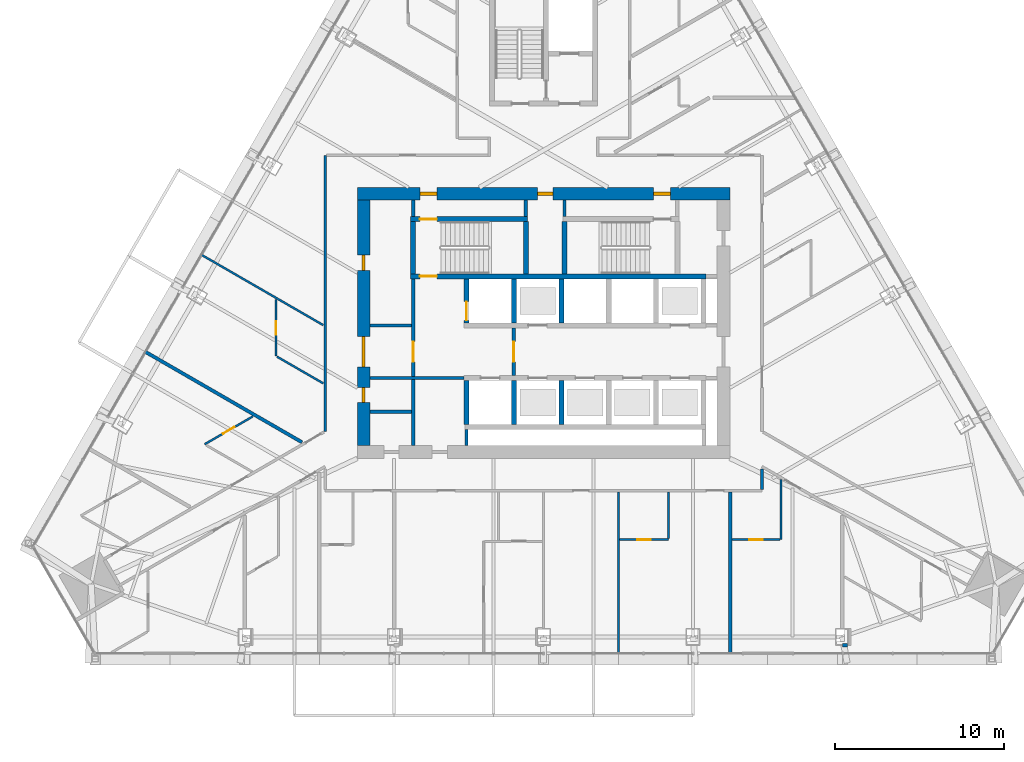
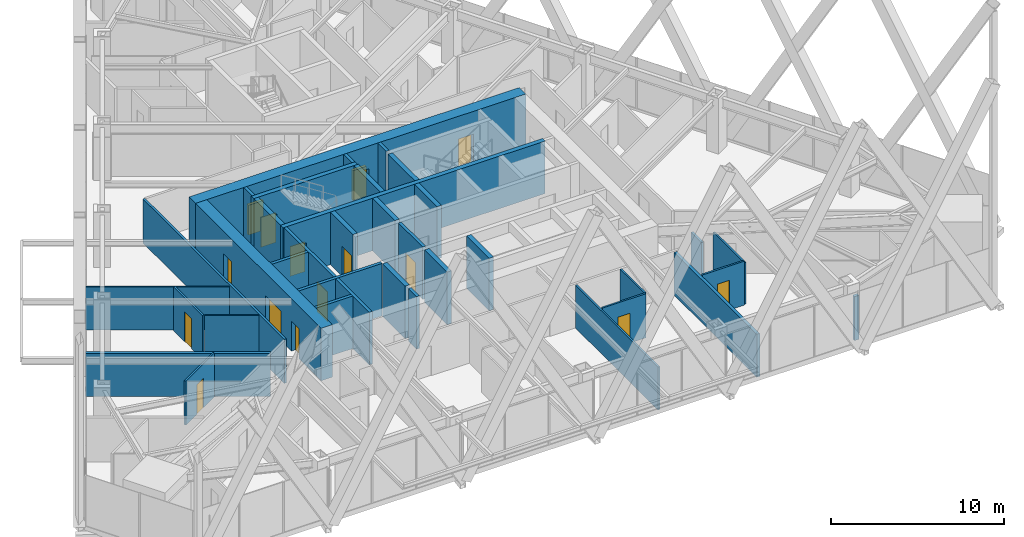
# One storey, part 14 of 19: 37 walls, 15 doors, 15 openings.
"""IFC4 building model written with IfcOpenShell, lengths in metres."""

from ifc_helpers import new_model, si_unit, direction, frame, frame_2d, origin, place, context, subcontext, project, spatial, rectangle, extrude, material, layer, layer_set, type_object, element, fill, save


model = new_model("IFC4")

# Units and contexts
model_context = context("Model", 3, precision=1e-05, world=origin(), true_north=direction((0.0, 1.0)))
body_context = subcontext(model_context, "Body", "Model", "MODEL_VIEW")
ifc_project = project(units=[si_unit("LENGTHUNIT", "METRE"), si_unit("AREAUNIT", "SQUARE_METRE"), si_unit("VOLUMEUNIT", "CUBIC_METRE"), si_unit("PLANEANGLEUNIT", "RADIAN"), si_unit("MASSUNIT", "GRAM", prefix="KILO")], contexts=[model_context])

# Site, building, storey
site_placement = place(None, origin())
site = spatial("IfcSite", under=ifc_project, at=site_placement, CompositionType="ELEMENT")
building_placement = place(site_placement, origin())
building = spatial("IfcBuilding", under=site, at=building_placement, Name="Firuza Gate Tower and Library", CompositionType="ELEMENT")
storey_placement = place(building_placement, frame((0.0, 0.0, 187.0)))
storey = spatial("IfcBuildingStorey", under=building, at=storey_placement, Name="L43", CompositionType="ELEMENT", Elevation=187.0)

# Walls
ifc_material_1 = material(Name="Plasterboard on steel studs", Category="steel")
ifc_layer_1 = layer(ifc_material_1, 0.199951171875)
ifc_layer_set_1 = layer_set([ifc_layer_1], Name="Core partition 200 EI 120")
wall_type_1 = type_object("IfcWallType", Name="Core partition 200 EI 120", PredefinedType="PARTITIONING", material=ifc_layer_set_1)
wall_1_placement = place(storey_placement, frame((64.75, 71.75, 0.0), z_axis=(0.0, 0.0, 1.0), x_axis=(1.0, 0.0, 0.0)))
element("IfcWall", 1, at=wall_1_placement, inside=storey, type_object=wall_type_1, Name="Core partition L43 2", PredefinedType="PARTITIONING", context=body_context, shape_type="SweptSolid", body=[
    extrude(rectangle(XDim=5.550048828125, YDim=0.199951171875, at=frame_2d((2.77490234375, 0.0))), origin(), (0.0, 0.0, 1.0), 3.699951171875),
])
wall_2_placement = place(storey_placement, frame((64.75, 74.85009765625, 0.0), z_axis=(0.0, 0.0, 1.0), x_axis=(1.0, 0.0, 0.0)))
element("IfcWall", 2, at=wall_2_placement, inside=storey, type_object=wall_type_1, Name="Core partition L43 4", PredefinedType="PARTITIONING", context=body_context, shape_type="SweptSolid", body=[
    extrude(rectangle(XDim=2.449951171875, YDim=0.199951171875, at=frame_2d((1.22509765625, 0.0))), origin(), (0.0, 0.0, 1.0), 3.699951171875),
])
wall_3_placement = place(storey_placement, frame((67.300048828125, 67.75, 0.0), z_axis=(0.0, 0.0, 1.0), x_axis=(0.0, 1.0, 0.0)))
element("IfcWall", 3, at=wall_3_placement, inside=storey, type_object=wall_type_1, Name="Core partition L43 7", PredefinedType="PARTITIONING", context=body_context, shape_type="SweptSolid", body=[
    extrude(rectangle(XDim=3.89990234375, YDim=0.199951171875, at=frame_2d((1.949951171875, 0.0))), origin(), (0.0, 0.0, 1.0), 3.699951171875),
])

# Wall, opening, door
wall_4_placement = place(storey_placement, frame((67.300048828125, 71.85009765625, 0.0), z_axis=(0.0, 0.0, 1.0), x_axis=(0.0, 1.0, 0.0)))
wall_4 = element("IfcWall", 4, at=wall_4_placement, inside=storey, type_object=wall_type_1, Name="Core partition L43 8", PredefinedType="PARTITIONING", context=body_context, shape_type="SweptSolid", body=[
    extrude(rectangle(XDim=5.75, YDim=0.199951171875, at=frame_2d((2.875, 0.0))), origin(), (0.0, 0.0, 1.0), 3.699951171875),
])
opening_1_placement = place(wall_4_placement, frame((0.85009765625, 0.0, 0.0)))
opening_1 = element("IfcOpeningElement", 5, at=opening_1_placement, cuts=wall_4, Name="Opening L43-K19", PredefinedType="OPENING", context=body_context, shape_type="SweptSolid", body=[
    extrude(rectangle(XDim=1.199951171875, YDim=2.10009765625, at=frame_2d((0.60009765625, 1.050048828125))), frame((0.0, 0.10986328125, 0.0), z_axis=(0.0, -1.0, 0.0), x_axis=(1.0, 0.0, 0.0)), (0.0, 0.0, 1.0), 0.219970703125),
])
ifc_material_2 = material(Name="Steel", Category="steel")
door_type_1 = type_object("IfcDoorType", Name="Fire door 1200x2100 FD90S", OperationType="NOTDEFINED", PredefinedType="DOOR", material=ifc_material_2)
door_1_placement = place(opening_1_placement, origin())
door_1 = element("IfcDoor", 6, at=door_1_placement, inside=storey, type_object=door_type_1, Name="Door L43-K19", OperationType="SINGLE_SWING_RIGHT", OverallHeight=2.10009765625, OverallWidth=1.199951171875, PredefinedType="DOOR", context=body_context, shape_type="SweptSolid", body=[
    extrude(rectangle(XDim=1.199951171875, YDim=2.10009765625, at=frame_2d((0.60009765625, 1.050048828125))), frame((0.0, 0.02490234375, 0.0), z_axis=(0.0, -1.0, 0.0), x_axis=(1.0, 0.0, 0.0)), (0.0, 0.0, 1.0), 0.050048828125),
])
fill(opening_1, door_1)

# Walls
wall_5_placement = place(storey_placement, frame((67.300048828125, 81.280029296875, 0.0), z_axis=(0.0, 0.0, 1.0), x_axis=(0.0, 1.0, 0.0)))
element("IfcWall", 7, at=wall_5_placement, inside=storey, type_object=wall_type_1, Name="Core partition L43 9", PredefinedType="PARTITIONING", context=body_context, shape_type="SweptSolid", body=[
    extrude(rectangle(XDim=0.969970703125, YDim=0.199951171875, at=frame_2d((0.48486328125, 0.0))), origin(), (0.0, 0.0, 1.0), 3.699951171875),
])
wall_6_placement = place(storey_placement, frame((70.449951171875, 67.75, 0.0), z_axis=(0.0, 0.0, 1.0), x_axis=(0.0, 1.0, 0.0)))
element("IfcWall", 8, at=wall_6_placement, inside=storey, type_object=wall_type_1, Name="Core partition L43 10", PredefinedType="PARTITIONING", context=body_context, shape_type="SweptSolid", body=[
    extrude(rectangle(XDim=0.949951171875, YDim=0.199951171875, at=frame_2d((0.47509765625, 0.0))), origin(), (0.0, 0.0, 1.0), 3.699951171875),
])
ifc_material_3 = material(Name="Plasterboard on steel studs", Category="steel")
ifc_layer_2 = layer(ifc_material_3, 0.199951171875)
ifc_layer_set_2 = layer_set([ifc_layer_2], Name="Core partition 200 EI 60")
wall_type_2 = type_object("IfcWallType", Name="Core partition 200 EI 60", PredefinedType="PARTITIONING", material=ifc_layer_set_2)
wall_7_placement = place(storey_placement, frame((64.75, 69.75, 0.0), z_axis=(0.0, 0.0, 1.0), x_axis=(1.0, 0.0, 0.0)))
element("IfcWall", 9, at=wall_7_placement, inside=storey, type_object=wall_type_2, Name="Core partition L43 1", PredefinedType="PARTITIONING", context=body_context, shape_type="SweptSolid", body=[
    extrude(rectangle(XDim=2.449951171875, YDim=0.199951171875, at=frame_2d((1.22509765625, 0.0))), origin(), (0.0, 0.0, 1.0), 3.699951171875),
])

# Wall, opening, door
wall_8_placement = place(storey_placement, frame((73.25, 71.89990234375, 0.0), z_axis=(0.0, 0.0, 1.0), x_axis=(0.0, 1.0, 0.0)))
wall_8 = element("IfcWall", 10, at=wall_8_placement, inside=storey, type_object=wall_type_2, Name="Core partition L43 11", PredefinedType="PARTITIONING", context=body_context, shape_type="SweptSolid", body=[
    extrude(rectangle(XDim=2.800048828125, YDim=0.199951171875, at=frame_2d((1.39990234375, 0.0))), origin(), (0.0, 0.0, 1.0), 3.699951171875),
])
opening_2_placement = place(wall_8_placement, frame((0.800048828125, 0.0, 0.0)))
opening_2 = element("IfcOpeningElement", 11, at=opening_2_placement, cuts=wall_8, Name="Opening L43-K18", PredefinedType="OPENING", context=body_context, shape_type="SweptSolid", body=[
    extrude(rectangle(XDim=1.199951171875, YDim=2.10009765625, at=frame_2d((0.60009765625, 1.050048828125))), frame((0.0, 0.10986328125, 0.0), z_axis=(0.0, -1.0, 0.0), x_axis=(1.0, 0.0, 0.0)), (0.0, 0.0, 1.0), 0.219970703125),
])
door_2_placement = place(opening_2_placement, origin())
door_2 = element("IfcDoor", 12, at=door_2_placement, inside=storey, type_object=door_type_1, Name="Door L43-K18", OperationType="SINGLE_SWING_LEFT", OverallHeight=2.10009765625, OverallWidth=1.199951171875, PredefinedType="DOOR", context=body_context, shape_type="SweptSolid", body=[
    extrude(rectangle(XDim=1.199951171875, YDim=2.10009765625, at=frame_2d((0.60009765625, 1.050048828125))), frame((0.0, 0.02490234375, 0.0), z_axis=(0.0, -1.0, 0.0), x_axis=(1.0, 0.0, 0.0)), (0.0, 0.0, 1.0), 0.050048828125),
])
fill(opening_2, door_2)

# Walls
for number, where, z_axis, x_axis, name in (
    (13, (73.9599609375, 81.280029296875, 0.0), (0.0, 0.0, 1.0), (0.0, 1.0, 0.0), "Core partition L43 12"),
    (14, (76.239990234375, 81.280029296875, 0.0), (0.0, 0.0, 1.0), (0.0, 1.0, 0.0), "Core partition L43 13"),
):
    element("IfcWall", number, at=place(storey_placement, frame(where, z_axis=z_axis, x_axis=x_axis)), inside=storey, type_object=wall_type_2, Name=name, PredefinedType="PARTITIONING", context=body_context, shape_type="SweptSolid", body=[
        extrude(rectangle(XDim=0.969970703125, YDim=0.199951171875, at=frame_2d((0.48486328125, 0.0))), origin(), (0.0, 0.0, 1.0), 3.699951171875),
    ])
ifc_material_4 = material(Name="Concrete C80/95", Category="concrete")
ifc_layer_3 = layer(ifc_material_4, 0.300048828125)
ifc_layer_set_3 = layer_set([ifc_layer_3], Name="Core wall 300 C80/95")
wall_type_3 = type_object("IfcWallType", Name="Core wall 300 C80/95", PredefinedType="SHEAR", material=ifc_layer_set_3)
wall_9_placement = place(storey_placement, frame((70.449951171875, 69.0, 0.0), z_axis=(0.0, 0.0, 1.0), x_axis=(0.0, 1.0, 0.0)))
element("IfcWall", 15, at=wall_9_placement, inside=storey, type_object=wall_type_3, Name="Core wall L43 8", PredefinedType="SHEAR", context=body_context, shape_type="SweptSolid", body=[
    extrude(rectangle(XDim=2.60009765625, YDim=0.300048828125, at=frame_2d((1.300048828125, 0.0))), origin(), (0.0, 0.0, 1.0), 3.699951171875),
])

# Wall, opening, door
wall_10_placement = place(storey_placement, frame((70.449951171875, 75.0, 0.0), z_axis=(0.0, 0.0, 1.0), x_axis=(0.0, 1.0, 0.0)))
wall_10 = element("IfcWall", 16, at=wall_10_placement, inside=storey, type_object=wall_type_3, Name="Core wall L43 9", PredefinedType="SHEAR", context=body_context, shape_type="SweptSolid", body=[
    extrude(rectangle(XDim=2.60009765625, YDim=0.300048828125, at=frame_2d((1.300048828125, 0.0))), origin(), (0.0, 0.0, 1.0), 3.699951171875),
])
opening_3_placement = place(wall_10_placement, frame((0.14990234375, 0.0, 0.0)))
opening_3 = element("IfcOpeningElement", 17, at=opening_3_placement, cuts=wall_10, Name="Opening LD-FF2-L43", PredefinedType="OPENING", context=body_context, shape_type="SweptSolid", body=[
    extrude(rectangle(XDim=1.10009765625, YDim=2.10009765625, at=frame_2d((0.550048828125, 1.050048828125))), frame((0.0, 0.16015625, 0.0), z_axis=(0.0, -1.0, 0.0), x_axis=(1.0, 0.0, 0.0)), (0.0, 0.0, 1.0), 0.320068359375),
])
ifc_material_5 = material(Name="Stainless steel", Category="steel")
door_type_2 = type_object("IfcDoorType", Name="Lift landing door 1100x2100", OperationType="DOUBLE_DOOR_SLIDING", PredefinedType="DOOR", material=ifc_material_5)
door_3_placement = place(opening_3_placement, origin())
door_3 = element("IfcDoor", 18, at=door_3_placement, inside=storey, type_object=door_type_2, Name="Landing door FF2 L43", OperationType="DOUBLE_DOOR_SLIDING", OverallHeight=2.10009765625, OverallWidth=1.10009765625, PredefinedType="DOOR", context=body_context, shape_type="SweptSolid", body=[
    extrude(rectangle(XDim=1.10009765625, YDim=2.10009765625, at=frame_2d((0.550048828125, 1.050048828125))), frame((0.0, 0.02490234375, 0.0), z_axis=(0.0, -1.0, 0.0), x_axis=(1.0, 0.0, 0.0)), (0.0, 0.0, 1.0), 0.050048828125),
])
fill(opening_3, door_3)

# Walls
for number, where, z_axis, x_axis, name in (
    (19, (73.25, 69.0, 0.0), (0.0, 0.0, 1.0), (0.0, 1.0, 0.0), "Core wall L43 10"),
    (20, (73.25, 75.0, 0.0), (0.0, 0.0, 1.0), (0.0, 1.0, 0.0), "Core wall L43 11"),
    (21, (76.050048828125, 69.0, 0.0), (0.0, 0.0, 1.0), (0.0, 1.0, 0.0), "Core wall L43 12"),
    (22, (76.050048828125, 75.0, 0.0), (0.0, 0.0, 1.0), (0.0, 1.0, 0.0), "Core wall L43 13"),
):
    element("IfcWall", number, at=place(storey_placement, frame(where, z_axis=z_axis, x_axis=x_axis)), inside=storey, type_object=wall_type_3, Name=name, PredefinedType="SHEAR", context=body_context, shape_type="SweptSolid", body=[
        extrude(rectangle(XDim=2.60009765625, YDim=0.300048828125, at=frame_2d((1.300048828125, 0.0))), origin(), (0.0, 0.0, 1.0), 3.699951171875),
    ])

# Wall, opening, door
wall_11_placement = place(storey_placement, frame((67.14990234375, 77.75, 0.0), z_axis=(0.0, 0.0, 1.0), x_axis=(1.0, 0.0, 0.0)))
wall_11 = element("IfcWall", 23, at=wall_11_placement, inside=storey, type_object=wall_type_3, Name="Core wall L43 20", PredefinedType="SHEAR", context=body_context, shape_type="SweptSolid", body=[
    extrude(rectangle(XDim=17.4501953125, YDim=0.300048828125, at=frame_2d((8.72509765625, 0.0))), origin(), (0.0, 0.0, 1.0), 3.699951171875),
])
opening_4_placement = place(wall_11_placement, frame((0.544921875, 0.0, 0.0)))
opening_4 = element("IfcOpeningElement", 24, at=opening_4_placement, cuts=wall_11, Name="Opening L43-K10", PredefinedType="OPENING", context=body_context, shape_type="SweptSolid", body=[
    extrude(rectangle(XDim=1.0, YDim=2.10009765625, at=frame_2d((0.5, 1.050048828125))), frame((0.0, 0.16015625, 0.0), z_axis=(0.0, -1.0, 0.0), x_axis=(1.0, 0.0, 0.0)), (0.0, 0.0, 1.0), 0.320068359375),
])
ifc_material_6 = material(Name="Steel", Category="steel")
door_type_3 = type_object("IfcDoorType", Name="Fire door 1000x2100 FD90", OperationType="NOTDEFINED", PredefinedType="DOOR", material=ifc_material_6)
door_4_placement = place(opening_4_placement, origin())
door_4 = element("IfcDoor", 25, at=door_4_placement, inside=storey, type_object=door_type_3, Name="Door L43-K10", OperationType="SINGLE_SWING_LEFT", OverallHeight=2.10009765625, OverallWidth=1.0, PredefinedType="DOOR", context=body_context, shape_type="SweptSolid", body=[
    extrude(rectangle(XDim=1.0, YDim=2.10009765625, at=frame_2d((0.5, 1.050048828125))), frame((0.0, 0.02490234375, 0.0), z_axis=(0.0, -1.0, 0.0), x_axis=(1.0, 0.0, 0.0)), (0.0, 0.0, 1.0), 0.050048828125),
])
fill(opening_4, door_4)

wall_12_placement = place(storey_placement, frame((67.14990234375, 81.1298828125, 0.0), z_axis=(0.0, 0.0, 1.0), x_axis=(1.0, 0.0, 0.0)))
wall_12 = element("IfcWall", 26, at=wall_12_placement, inside=storey, type_object=wall_type_3, Name="Core wall L43 21", PredefinedType="SHEAR", context=body_context, shape_type="SweptSolid", body=[
    extrude(rectangle(XDim=6.91015625, YDim=0.300048828125, at=frame_2d((3.455078125, 0.0))), origin(), (0.0, 0.0, 1.0), 3.699951171875),
])
opening_5_placement = place(wall_12_placement, frame((0.544921875, 0.0, 0.0)))
opening_5 = element("IfcOpeningElement", 27, at=opening_5_placement, cuts=wall_12, Name="Opening L43-K11", PredefinedType="OPENING", context=body_context, shape_type="SweptSolid", body=[
    extrude(rectangle(XDim=1.0, YDim=2.10009765625, at=frame_2d((0.5, 1.050048828125))), frame((0.0, 0.16015625, 0.0), z_axis=(0.0, -1.0, 0.0), x_axis=(1.0, 0.0, 0.0)), (0.0, 0.0, 1.0), 0.320068359375),
])
door_5_placement = place(opening_5_placement, origin())
door_5 = element("IfcDoor", 28, at=door_5_placement, inside=storey, type_object=door_type_3, Name="Door L43-K11", OperationType="SINGLE_SWING_RIGHT", OverallHeight=2.10009765625, OverallWidth=1.0, PredefinedType="DOOR", context=body_context, shape_type="SweptSolid", body=[
    extrude(rectangle(XDim=1.0, YDim=2.10009765625, at=frame_2d((0.5, 1.050048828125))), frame((0.0, 0.02490234375, 0.0), z_axis=(0.0, -1.0, 0.0), x_axis=(1.0, 0.0, 0.0)), (0.0, 0.0, 1.0), 0.050048828125),
])
fill(opening_5, door_5)

# Walls
for number, where, z_axis, x_axis, name in (
    (29, (67.300048828125, 77.89990234375, 0.0), (0.0, 0.0, 1.0), (0.0, 1.0, 0.0), "Core wall L43 23"),
    (30, (73.9599609375, 77.89990234375, 0.0), (0.0, 0.0, 1.0), (0.0, 1.0, 0.0), "Core wall L43 24"),
    (31, (76.239990234375, 77.89990234375, 0.0), (0.0, 0.0, 1.0), (0.0, 1.0, 0.0), "Core wall L43 25"),
):
    element("IfcWall", number, at=place(storey_placement, frame(where, z_axis=z_axis, x_axis=x_axis)), inside=storey, type_object=wall_type_3, Name=name, PredefinedType="SHEAR", context=body_context, shape_type="SweptSolid", body=[
        extrude(rectangle(XDim=3.080078125, YDim=0.300048828125, at=frame_2d((1.5400390625, 0.0))), origin(), (0.0, 0.0, 1.0), 3.699951171875),
    ])

# Wall, openings, doors
ifc_material_7 = material(Name="Concrete C80/95", Category="concrete")
ifc_layer_4 = layer(ifc_material_7, 0.75)
ifc_layer_set_4 = layer_set([ifc_layer_4], Name="Core wall 750 C80/95")
wall_type_4 = type_object("IfcWallType", Name="Core wall 750 C80/95", PredefinedType="SHEAR", material=ifc_layer_set_4)
wall_13_placement = place(storey_placement, frame((64.0, 82.625, 0.0), z_axis=(0.0, 0.0, 1.0), x_axis=(1.0, 0.0, 0.0)))
wall_13 = element("IfcWall", 32, at=wall_13_placement, inside=storey, type_object=wall_type_4, Name="Core wall L43 2", PredefinedType="SHEAR", context=body_context, shape_type="SweptSolid", body=[
    extrude(rectangle(XDim=22.0, YDim=0.75, at=frame_2d((11.0, 0.0))), origin(), (0.0, 0.0, 1.0), 3.699951171875),
])
opening_6_placement = place(wall_13_placement, frame((3.695068359375, 0.0, 0.0)))
opening_6 = element("IfcOpeningElement", 33, at=opening_6_placement, cuts=wall_13, Name="Opening L43-K12", PredefinedType="OPENING", context=body_context, shape_type="SweptSolid", body=[
    extrude(rectangle(XDim=1.0, YDim=2.10009765625, at=frame_2d((0.5, 1.050048828125))), frame((0.0, 0.385009765625, 0.0), z_axis=(0.0, -1.0, 0.0), x_axis=(1.0, 0.0, 0.0)), (0.0, 0.0, 1.0), 0.77001953125),
])
opening_7_placement = place(wall_13_placement, frame((17.5048828125, 0.0, 0.0)))
opening_7 = element("IfcOpeningElement", 34, at=opening_7_placement, cuts=wall_13, Name="Opening L43-K14", PredefinedType="OPENING", context=body_context, shape_type="SweptSolid", body=[
    extrude(rectangle(XDim=1.0, YDim=2.10009765625, at=frame_2d((0.5, 1.050048828125))), frame((0.0, 0.385009765625, 0.0), z_axis=(0.0, -1.0, 0.0), x_axis=(1.0, 0.0, 0.0)), (0.0, 0.0, 1.0), 0.77001953125),
])
opening_8_placement = place(wall_13_placement, frame((10.64990234375, 0.0, 0.0)))
opening_8 = element("IfcOpeningElement", 35, at=opening_8_placement, cuts=wall_13, Name="Opening L43-K26", PredefinedType="OPENING", context=body_context, shape_type="SweptSolid", body=[
    extrude(rectangle(XDim=0.89990234375, YDim=2.10009765625, at=frame_2d((0.449951171875, 1.050048828125))), frame((0.0, 0.385009765625, 0.0), z_axis=(0.0, -1.0, 0.0), x_axis=(1.0, 0.0, 0.0)), (0.0, 0.0, 1.0), 0.77001953125),
])
door_6_placement = place(opening_6_placement, origin())
door_6 = element("IfcDoor", 36, at=door_6_placement, inside=storey, type_object=door_type_3, Name="Door L43-K12", OperationType="SINGLE_SWING_LEFT", OverallHeight=2.10009765625, OverallWidth=1.0, PredefinedType="DOOR", context=body_context, shape_type="SweptSolid", body=[
    extrude(rectangle(XDim=1.0, YDim=2.10009765625, at=frame_2d((0.5, 1.050048828125))), frame((0.0, 0.094970703125, 0.0), z_axis=(0.0, -1.0, 0.0), x_axis=(1.0, 0.0, 0.0)), (0.0, 0.0, 1.0), 0.18994140625),
])
fill(opening_6, door_6)
door_7_placement = place(opening_7_placement, origin())
door_7 = element("IfcDoor", 37, at=door_7_placement, inside=storey, type_object=door_type_3, Name="Door L43-K14", OperationType="SINGLE_SWING_LEFT", OverallHeight=2.10009765625, OverallWidth=1.0, PredefinedType="DOOR", context=body_context, shape_type="SweptSolid", body=[
    extrude(rectangle(XDim=1.0, YDim=2.10009765625, at=frame_2d((0.5, 1.050048828125))), frame((0.0, 0.094970703125, 0.0), z_axis=(0.0, -1.0, 0.0), x_axis=(1.0, 0.0, 0.0)), (0.0, 0.0, 1.0), 0.18994140625),
])
fill(opening_7, door_7)
ifc_material_8 = material(Name="Steel", Category="steel")
door_type_4 = type_object("IfcDoorType", Name="Fire door 900x2100 FD30S", OperationType="NOTDEFINED", PredefinedType="DOOR", material=ifc_material_8)
door_8_placement = place(opening_8_placement, origin())
door_8 = element("IfcDoor", 38, at=door_8_placement, inside=storey, type_object=door_type_4, Name="Door L43-K26", OperationType="SINGLE_SWING_LEFT", OverallHeight=2.10009765625, OverallWidth=0.89990234375, PredefinedType="DOOR", context=body_context, shape_type="SweptSolid", body=[
    extrude(rectangle(XDim=0.89990234375, YDim=2.10009765625, at=frame_2d((0.449951171875, 1.050048828125))), frame((0.0, 0.094970703125, 0.0), z_axis=(0.0, -1.0, 0.0), x_axis=(1.0, 0.0, 0.0)), (0.0, 0.0, 1.0), 0.18994140625),
])
fill(opening_8, door_8)

wall_14_placement = place(storey_placement, frame((64.375, 67.75, 0.0), z_axis=(0.0, 0.0, 1.0), x_axis=(0.0, 1.0, 0.0)))
wall_14 = element("IfcWall", 39, at=wall_14_placement, inside=storey, type_object=wall_type_4, Name="Core wall L43 3", PredefinedType="SHEAR", context=body_context, shape_type="SweptSolid", body=[
    extrude(rectangle(XDim=14.5, YDim=0.75, at=frame_2d((7.25, 0.0))), origin(), (0.0, 0.0, 1.0), 3.699951171875),
])
opening_9_placement = place(wall_14_placement, frame((4.64990234375, 0.0, 0.0)))
opening_9 = element("IfcOpeningElement", 40, at=opening_9_placement, cuts=wall_14, Name="Opening L43-K20", PredefinedType="OPENING", context=body_context, shape_type="SweptSolid", body=[
    extrude(rectangle(XDim=1.800048828125, YDim=2.10009765625, at=frame_2d((0.89990234375, 1.050048828125))), frame((0.0, 0.385009765625, 0.0), z_axis=(0.0, -1.0, 0.0), x_axis=(1.0, 0.0, 0.0)), (0.0, 0.0, 1.0), 0.77001953125),
])
opening_10_placement = place(wall_14_placement, frame((2.550048828125, 0.0, 0.0)))
opening_10 = element("IfcOpeningElement", 41, at=opening_10_placement, cuts=wall_14, Name="Opening L43-K23", PredefinedType="OPENING", context=body_context, shape_type="SweptSolid", body=[
    extrude(rectangle(XDim=0.89990234375, YDim=2.10009765625, at=frame_2d((0.449951171875, 1.050048828125))), frame((0.0, 0.385009765625, 0.0), z_axis=(0.0, -1.0, 0.0), x_axis=(1.0, 0.0, 0.0)), (0.0, 0.0, 1.0), 0.77001953125),
])
opening_11_placement = place(wall_14_placement, frame((10.35009765625, 0.0, 0.0)))
opening_11 = element("IfcOpeningElement", 42, at=opening_11_placement, cuts=wall_14, Name="Opening L43-K25", PredefinedType="OPENING", context=body_context, shape_type="SweptSolid", body=[
    extrude(rectangle(XDim=0.89990234375, YDim=2.10009765625, at=frame_2d((0.449951171875, 1.050048828125))), frame((0.0, 0.385009765625, 0.0), z_axis=(0.0, -1.0, 0.0), x_axis=(1.0, 0.0, 0.0)), (0.0, 0.0, 1.0), 0.77001953125),
])
ifc_material_9 = material(Name="Steel", Category="steel")
door_type_5 = type_object("IfcDoorType", Name="Fire door 1800x2100 FD30S", OperationType="NOTDEFINED", PredefinedType="DOOR", material=ifc_material_9)
door_9_placement = place(opening_9_placement, origin())
door_9 = element("IfcDoor", 43, at=door_9_placement, inside=storey, type_object=door_type_5, Name="Door L43-K20", OperationType="SINGLE_SWING_LEFT", OverallHeight=2.10009765625, OverallWidth=1.800048828125, PredefinedType="DOOR", context=body_context, shape_type="SweptSolid", body=[
    extrude(rectangle(XDim=1.800048828125, YDim=2.10009765625, at=frame_2d((0.89990234375, 1.050048828125))), frame((0.0, 0.094970703125, 0.0), z_axis=(0.0, -1.0, 0.0), x_axis=(1.0, 0.0, 0.0)), (0.0, 0.0, 1.0), 0.18994140625),
])
fill(opening_9, door_9)
door_10_placement = place(opening_10_placement, origin())
door_10 = element("IfcDoor", 44, at=door_10_placement, inside=storey, type_object=door_type_4, Name="Door L43-K23", OperationType="SINGLE_SWING_RIGHT", OverallHeight=2.10009765625, OverallWidth=0.89990234375, PredefinedType="DOOR", context=body_context, shape_type="SweptSolid", body=[
    extrude(rectangle(XDim=0.89990234375, YDim=2.10009765625, at=frame_2d((0.449951171875, 1.050048828125))), frame((0.0, 0.094970703125, 0.0), z_axis=(0.0, -1.0, 0.0), x_axis=(1.0, 0.0, 0.0)), (0.0, 0.0, 1.0), 0.18994140625),
])
fill(opening_10, door_10)
door_11_placement = place(opening_11_placement, origin())
door_11 = element("IfcDoor", 45, at=door_11_placement, inside=storey, type_object=door_type_4, Name="Door L43-K25", OperationType="SINGLE_SWING_RIGHT", OverallHeight=2.10009765625, OverallWidth=0.89990234375, PredefinedType="DOOR", context=body_context, shape_type="SweptSolid", body=[
    extrude(rectangle(XDim=0.89990234375, YDim=2.10009765625, at=frame_2d((0.449951171875, 1.050048828125))), frame((0.0, 0.094970703125, 0.0), z_axis=(0.0, -1.0, 0.0), x_axis=(1.0, 0.0, 0.0)), (0.0, 0.0, 1.0), 0.18994140625),
])
fill(opening_11, door_11)

# Walls
ifc_material_10 = material(Name="Gypsum board partition")
ifc_layer_5 = layer(ifc_material_10, 0.14990234375)
ifc_layer_set_5 = layer_set([ifc_layer_5], Name="Corridor wall 150 double board on steel studs")
wall_type_5 = type_object("IfcWallType", Name="Corridor wall 150 double board on steel studs", PredefinedType="PARTITIONING", material=ifc_layer_set_5)
wall_15_placement = place(storey_placement, frame((87.89990234375, 65.175048828125, 0.0), z_axis=(0.0, 0.0, 1.0), x_axis=(0.0, 1.0, 0.0)))
element("IfcWall", 46, at=wall_15_placement, inside=storey, type_object=wall_type_5, Name="f:L43:w048", PredefinedType="PARTITIONING", context=body_context, shape_type="SweptSolid", body=[
    extrude(rectangle(XDim=1.201416015625, YDim=0.14990234375, at=frame_2d((0.6005859375, 0.0))), origin(), (0.0, 0.0, 1.0), 2.947021484375),
])
wall_16_placement = place(storey_placement, frame((62.10009765625, 68.59130859375, 0.0), z_axis=(0.0, 0.0, 1.0), x_axis=(0.0, 1.0, 0.0)))
element("IfcWall", 47, at=wall_16_placement, inside=storey, type_object=wall_type_5, Name="f:L43:w074", PredefinedType="PARTITIONING", context=body_context, shape_type="SweptSolid", body=[
    extrude(rectangle(XDim=16.30810546875, YDim=0.14990234375, at=frame_2d((8.154052734375, 0.0))), origin(), (0.0, 0.0, 1.0), 3.10009765625),
])
ifc_material_11 = material(Name="Gypsum board partition")
ifc_layer_6 = layer(ifc_material_11, 0.199951171875)
ifc_layer_set_6 = layer_set([ifc_layer_6], Name="Demising wall 200 acoustic double stud")
wall_type_6 = type_object("IfcWallType", Name="Demising wall 200 acoustic double stud", PredefinedType="PARTITIONING", material=ifc_layer_set_6)
wall_17_placement = place(storey_placement, frame((92.647705078125, 55.9599609375, 0.0), z_axis=(0.0, 0.0, 1.0), x_axis=(1.0, 0.0, 0.0)))
element("IfcWall", 48, at=wall_17_placement, inside=storey, type_object=wall_type_6, Name="f:L43:w003", PredefinedType="PARTITIONING", context=body_context, shape_type="SweptSolid", body=[
    extrude(rectangle(XDim=0.299560546875, YDim=0.199951171875, at=frame_2d((0.14990234375, 0.0))), origin(), (0.0, 0.0, 1.0), 3.10009765625),
])
wall_18_placement = place(storey_placement, frame((86.030029296875, 55.499755859375, 0.0), z_axis=(0.0, 0.0, 1.0), x_axis=(0.0, 1.0, 0.0)))
element("IfcWall", 49, at=wall_18_placement, inside=storey, type_object=wall_type_6, Name="f:L43:w050", PredefinedType="PARTITIONING", context=body_context, shape_type="SweptSolid", body=[
    extrude(rectangle(XDim=9.525146484375, YDim=0.199951171875, at=frame_2d((4.7626953125, 0.0))), origin(), (0.0, 0.0, 1.0), 3.02197265625),
])
wall_19_placement = place(storey_placement, frame((60.7373046875, 67.951171875, 0.0), z_axis=(0.0, 0.0, 1.0), x_axis=(-0.866024451315, 0.500001649722, 0.0)))
element("IfcWall", 50, at=wall_19_placement, inside=storey, type_object=wall_type_6, Name="f:L43:w096", PredefinedType="PARTITIONING", context=body_context, shape_type="SweptSolid", body=[
    extrude(rectangle(XDim=10.6728515625, YDim=0.199951171875, at=frame_2d((5.33642578125, 0.0))), origin(), (0.0, 0.0, 1.0), 3.02197265625),
])

# Wall, opening, door
ifc_material_12 = material(Name="Gypsum board partition")
ifc_layer_7 = layer(ifc_material_12, 0.1201171875)
ifc_layer_set_7 = layer_set([ifc_layer_7], Name="Wet-area partition 120 moisture-resistant board")
wall_type_7 = type_object("IfcWallType", Name="Wet-area partition 120 moisture-resistant board", PredefinedType="PARTITIONING", material=ifc_layer_set_7)
wall_20_placement = place(storey_placement, frame((79.48193359375, 62.199951171875, 0.0), z_axis=(0.0, 0.0, 1.0), x_axis=(1.0, 0.0, 0.0)))
wall_20 = element("IfcWall", 51, at=wall_20_placement, inside=storey, type_object=wall_type_7, Name="f:L43:w007", PredefinedType="PARTITIONING", context=body_context, shape_type="SweptSolid", body=[
    extrude(rectangle(XDim=2.907958984375, YDim=0.1201171875, at=frame_2d((1.4541015625, 0.0))), origin(), (0.0, 0.0, 1.0), 3.10009765625),
])
opening_12_placement = place(wall_20_placement, frame((1.053955078125, 0.0, 0.0)))
opening_12 = element("IfcOpeningElement", 52, at=opening_12_placement, cuts=wall_20, Name="Opening L43-03", PredefinedType="OPENING", context=body_context, shape_type="SweptSolid", body=[
    extrude(rectangle(XDim=0.800048828125, YDim=2.10009765625, at=frame_2d((0.39990234375, 1.050048828125))), frame((0.0, 0.070068359375, 0.0), z_axis=(0.0, -1.0, 0.0), x_axis=(1.0, 0.0, 0.0)), (0.0, 0.0, 1.0), 0.14013671875),
])
ifc_material_13 = material(Name="Timber door", Category="wood")
door_type_6 = type_object("IfcDoorType", Name="Door 800 x 2100 timber leaf", OperationType="NOTDEFINED", PredefinedType="DOOR", material=ifc_material_13)
door_12_placement = place(opening_12_placement, origin())
door_12 = element("IfcDoor", 53, at=door_12_placement, inside=storey, type_object=door_type_6, Name="f:L43:d003", OperationType="SINGLE_SWING_RIGHT", OverallHeight=2.10009765625, OverallWidth=0.800048828125, PredefinedType="DOOR", context=body_context, shape_type="SweptSolid", body=[
    extrude(rectangle(XDim=0.800048828125, YDim=2.10009765625, at=frame_2d((0.39990234375, 1.050048828125))), frame((0.0, 0.02490234375, 0.0), z_axis=(0.0, -1.0, 0.0), x_axis=(1.0, 0.0, 0.0)), (0.0, 0.0, 1.0), 0.050048828125),
])
fill(opening_12, door_12)

wall_21_placement = place(storey_placement, frame((86.139892578125, 62.199951171875, 0.0), z_axis=(0.0, 0.0, 1.0), x_axis=(1.0, 0.0, 0.0)))
wall_21 = element("IfcWall", 54, at=wall_21_placement, inside=storey, type_object=wall_type_7, Name="f:L43:w008", PredefinedType="PARTITIONING", context=body_context, shape_type="SweptSolid", body=[
    extrude(rectangle(XDim=2.807861328125, YDim=0.1201171875, at=frame_2d((1.40380859375, 0.0))), origin(), (0.0, 0.0, 1.0), 3.10009765625),
])
opening_13_placement = place(wall_21_placement, frame((1.00390625, 0.0, 0.0)))
opening_13 = element("IfcOpeningElement", 55, at=opening_13_placement, cuts=wall_21, Name="Opening L43-04", PredefinedType="OPENING", context=body_context, shape_type="SweptSolid", body=[
    extrude(rectangle(XDim=0.800048828125, YDim=2.10009765625, at=frame_2d((0.39990234375, 1.050048828125))), frame((0.0, 0.070068359375, 0.0), z_axis=(0.0, -1.0, 0.0), x_axis=(1.0, 0.0, 0.0)), (0.0, 0.0, 1.0), 0.14013671875),
])
door_13_placement = place(opening_13_placement, origin())
door_13 = element("IfcDoor", 56, at=door_13_placement, inside=storey, type_object=door_type_6, Name="f:L43:d004", OperationType="SINGLE_SWING_RIGHT", OverallHeight=2.10009765625, OverallWidth=0.800048828125, PredefinedType="DOOR", context=body_context, shape_type="SweptSolid", body=[
    extrude(rectangle(XDim=0.800048828125, YDim=2.10009765625, at=frame_2d((0.39990234375, 1.050048828125))), frame((0.0, 0.02490234375, 0.0), z_axis=(0.0, -1.0, 0.0), x_axis=(1.0, 0.0, 0.0)), (0.0, 0.0, 1.0), 0.050048828125),
])
fill(opening_13, door_13)

wall_22_placement = place(storey_placement, frame((57.82958984375, 69.474609375, 0.0), z_axis=(0.0, 0.0, 1.0), x_axis=(-0.866038236991, -0.499977771575, 0.0)))
wall_22 = element("IfcWall", 57, at=wall_22_placement, inside=storey, type_object=wall_type_7, Name="f:L43:w031", PredefinedType="PARTITIONING", context=body_context, shape_type="SweptSolid", body=[
    extrude(rectangle(XDim=3.283447265625, YDim=0.1201171875, at=frame_2d((1.6416015625, 0.0))), origin(), (0.0, 0.0, 1.0), 3.10009765625),
])
opening_14_placement = place(wall_22_placement, frame((1.24169921875, 0.0, 0.0)))
opening_14 = element("IfcOpeningElement", 58, at=opening_14_placement, cuts=wall_22, Name="Opening L43-21", PredefinedType="OPENING", context=body_context, shape_type="SweptSolid", body=[
    extrude(rectangle(XDim=0.800048828125, YDim=2.10009765625, at=frame_2d((0.39990234375, 1.050048828125))), frame((0.0, 0.070068359375, 0.0), z_axis=(0.0, -1.0, 0.0), x_axis=(1.0, 0.0, 0.0)), (0.0, 0.0, 1.0), 0.14013671875),
])
door_14_placement = place(opening_14_placement, origin())
door_14 = element("IfcDoor", 59, at=door_14_placement, inside=storey, type_object=door_type_6, Name="f:L43:d021", OperationType="SINGLE_SWING_LEFT", OverallHeight=2.10009765625, OverallWidth=0.800048828125, PredefinedType="DOOR", context=body_context, shape_type="SweptSolid", body=[
    extrude(rectangle(XDim=0.800048828125, YDim=2.10009765625, at=frame_2d((0.39990234375, 1.050048828125))), frame((0.0, 0.02490234375, 0.0), z_axis=(0.0, -1.0, 0.0), x_axis=(1.0, 0.0, 0.0)), (0.0, 0.0, 1.0), 0.050048828125),
])
fill(opening_14, door_14)

# Walls
wall_23_placement = place(storey_placement, frame((89.008056640625, 62.199951171875, 0.0), z_axis=(0.0, 0.0, 1.0), x_axis=(0.0, 1.0, 0.0)))
element("IfcWall", 60, at=wall_23_placement, inside=storey, type_object=wall_type_7, Name="f:L43:w047", PredefinedType="PARTITIONING", context=body_context, shape_type="SweptSolid", body=[
    extrude(rectangle(XDim=3.546875, YDim=0.1201171875, at=frame_2d((1.7734375, 0.0))), origin(), (0.0, 0.0, 1.0), 2.947021484375),
])
wall_24_placement = place(storey_placement, frame((82.389892578125, 62.260009765625, 0.0), z_axis=(0.0, 0.0, 1.0), x_axis=(0.0, 1.0, 0.0)))
element("IfcWall", 61, at=wall_24_placement, inside=storey, type_object=wall_type_7, Name="f:L43:w053", PredefinedType="PARTITIONING", context=body_context, shape_type="SweptSolid", body=[
    extrude(rectangle(XDim=2.764892578125, YDim=0.1201171875, at=frame_2d((1.38232421875, 0.0))), origin(), (0.0, 0.0, 1.0), 3.10009765625),
])
wall_25_placement = place(storey_placement, frame((79.412109375, 55.499755859375, 0.0), z_axis=(0.0, 0.0, 1.0), x_axis=(0.0, 1.0, 0.0)))
element("IfcWall", 62, at=wall_25_placement, inside=storey, type_object=wall_type_7, Name="f:L43:w055", PredefinedType="PARTITIONING", context=body_context, shape_type="SweptSolid", body=[
    extrude(rectangle(XDim=9.525146484375, YDim=0.1201171875, at=frame_2d((4.7626953125, 0.0))), origin(), (0.0, 0.0, 1.0), 3.02197265625),
])

# Wall, opening, door
wall_26_placement = place(storey_placement, frame((59.199951171875, 76.37109375, 0.0), z_axis=(0.0, 0.0, 1.0), x_axis=(0.0, -1.0, 0.0)))
wall_26 = element("IfcWall", 63, at=wall_26_placement, inside=storey, type_object=wall_type_7, Name="f:L43:w077", PredefinedType="PARTITIONING", context=body_context, shape_type="SweptSolid", body=[
    extrude(rectangle(XDim=3.329345703125, YDim=0.1201171875, at=frame_2d((1.66455078125, 0.0))), origin(), (0.0, 0.0, 1.0), 3.10009765625),
])
opening_15_placement = place(wall_26_placement, frame((1.2646484375, 0.0, 0.0)))
opening_15 = element("IfcOpeningElement", 64, at=opening_15_placement, cuts=wall_26, Name="Opening L43-36", PredefinedType="OPENING", context=body_context, shape_type="SweptSolid", body=[
    extrude(rectangle(XDim=0.800048828125, YDim=2.10009765625, at=frame_2d((0.39990234375, 1.050048828125))), frame((0.0, 0.070068359375, 0.0), z_axis=(0.0, -1.0, 0.0), x_axis=(1.0, 0.0, 0.0)), (0.0, 0.0, 1.0), 0.14013671875),
])
door_15_placement = place(opening_15_placement, origin())
door_15 = element("IfcDoor", 65, at=door_15_placement, inside=storey, type_object=door_type_6, Name="f:L43:d036", OperationType="SINGLE_SWING_LEFT", OverallHeight=2.10009765625, OverallWidth=0.800048828125, PredefinedType="DOOR", context=body_context, shape_type="SweptSolid", body=[
    extrude(rectangle(XDim=0.800048828125, YDim=2.10009765625, at=frame_2d((0.39990234375, 1.050048828125))), frame((0.0, 0.02490234375, 0.0), z_axis=(0.0, -1.0, 0.0), x_axis=(1.0, 0.0, 0.0)), (0.0, 0.0, 1.0), 0.050048828125),
])
fill(opening_15, door_15)

# Walls
wall_27_placement = place(storey_placement, frame((61.990234375, 74.869384765625, 0.0), z_axis=(0.0, 0.0, 1.0), x_axis=(-0.866025877972, 0.499999178681, 0.0)))
element("IfcWall", 66, at=wall_27_placement, inside=storey, type_object=wall_type_7, Name="f:L43:w094", PredefinedType="PARTITIONING", context=body_context, shape_type="SweptSolid", body=[
    extrude(rectangle(XDim=8.298828125, YDim=0.1201171875, at=frame_2d((4.1494140625, 0.0))), origin(), (0.0, 0.0, 1.0), 3.02197265625),
])
wall_28_placement = place(storey_placement, frame((61.990478515625, 71.4306640625, 0.0), z_axis=(0.0, 0.0, 1.0), x_axis=(-0.866028267601, 0.499995039691, 0.0)))
element("IfcWall", 67, at=wall_28_placement, inside=storey, type_object=wall_type_7, Name="f:L43:w095", PredefinedType="PARTITIONING", context=body_context, shape_type="SweptSolid", body=[
    extrude(rectangle(XDim=3.15283203125, YDim=0.1201171875, at=frame_2d((1.576416015625, 0.0))), origin(), (0.0, 0.0, 1.0), 3.10009765625),
])

save(model, "model.ifc")
